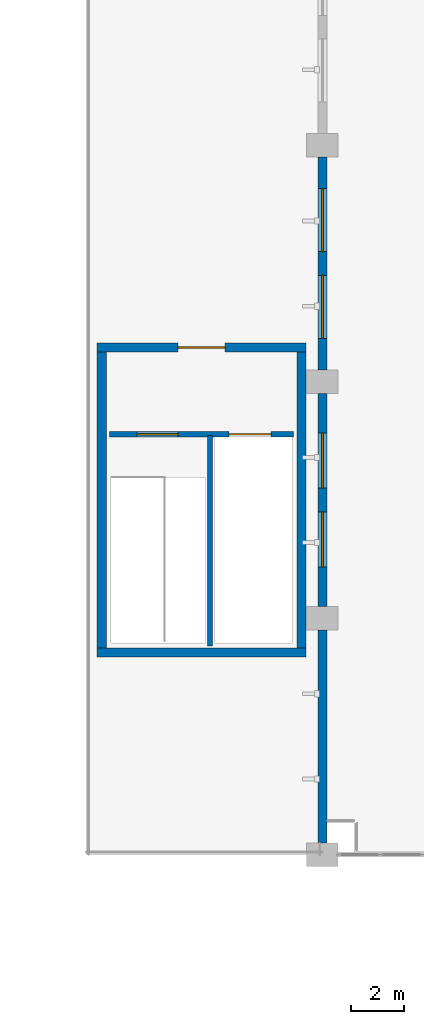
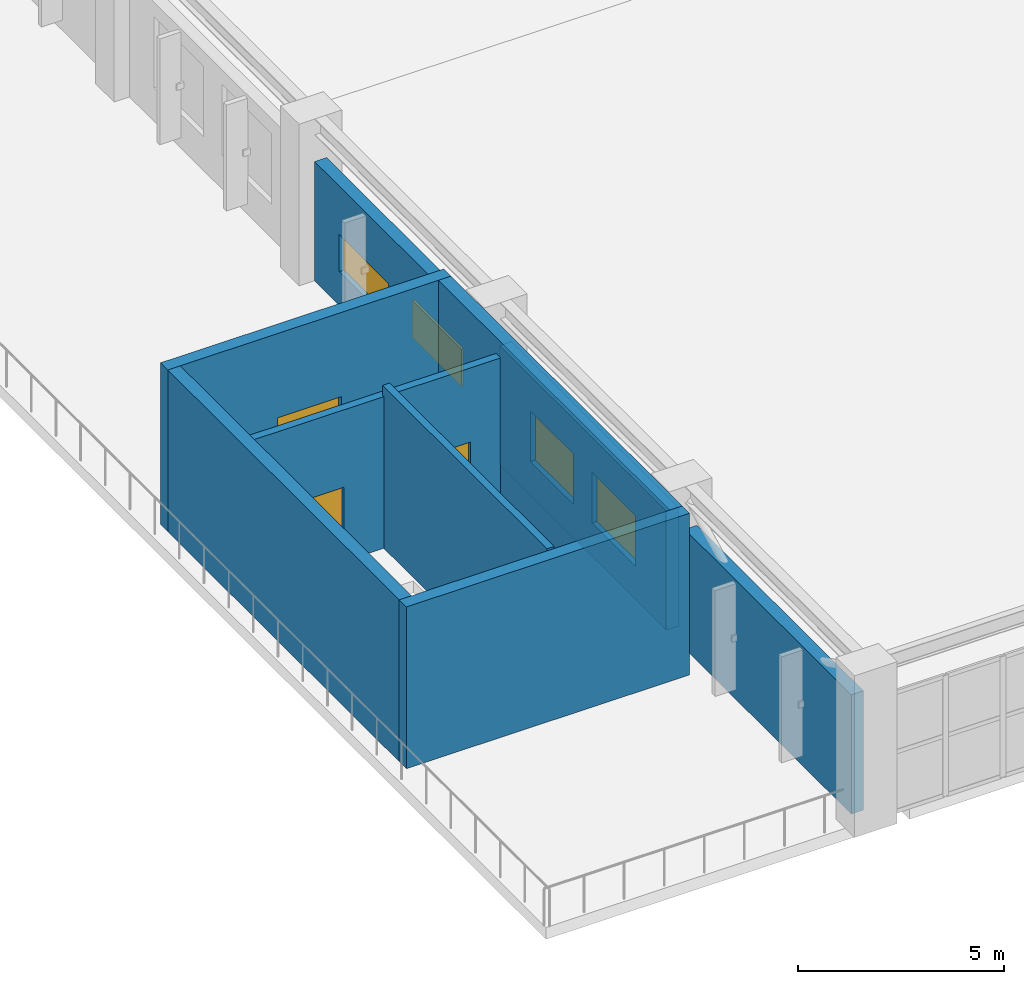
# One storey, part 60 of 89: 9 walls, 4 windows, 3 doors, 7 openings.
"""IFC4 building model written with IfcOpenShell, lengths in metres."""

from ifc_helpers import new_model, si_unit, direction, frame, frame_2d, origin, place, context, subcontext, project, spatial, rectangle, extrude, material, layer, layer_set, type_object, element, fill, save


model = new_model("IFC4")

# Units and contexts
model_context = context("Model", 3, precision=1e-05, world=origin(), true_north=direction((0.0, 1.0)))
body_context = subcontext(model_context, "Body", "Model", "MODEL_VIEW")
ifc_project = project(units=[si_unit("LENGTHUNIT", "METRE"), si_unit("AREAUNIT", "SQUARE_METRE"), si_unit("VOLUMEUNIT", "CUBIC_METRE"), si_unit("PLANEANGLEUNIT", "RADIAN"), si_unit("MASSUNIT", "GRAM", prefix="KILO")], contexts=[model_context])

# Site, building, storey
site_placement = place(None, origin())
site = spatial("IfcSite", under=ifc_project, at=site_placement, CompositionType="ELEMENT")
building_placement = place(site_placement, origin())
building = spatial("IfcBuilding", under=site, at=building_placement, Name="Dornveld Trade and Exhibition Forum", CompositionType="ELEMENT")
storey_placement = place(building_placement, frame((0.0, 0.0, 12.0)))
storey = spatial("IfcBuildingStorey", under=building, at=storey_placement, Name="L02", CompositionType="ELEMENT", Elevation=12.0)

# Wall
ifc_material_1 = material(Name="Concrete C40/50", Category="concrete")
ifc_layer_1 = layer(ifc_material_1, 0.35009765625)
ifc_layer_set_1 = layer_set([ifc_layer_1], Name="Concrete C40/50")
wall_type_1 = type_object("IfcWallType", Name="WL-CORE-350", PredefinedType="SHEAR", material=ifc_layer_set_1)
wall_1_placement = place(storey_placement, frame((18.425048828125, 43.699951171875, 0.0), z_axis=(0.0, 0.0, 1.0), x_axis=(1.0, 0.0, 0.0)))
element("IfcWall", 1, at=wall_1_placement, inside=storey, type_object=wall_type_1, Name="CORE-09 L02 shear wall S", PredefinedType="SHEAR", context=body_context, shape_type="SweptSolid", body=[
    extrude(rectangle(XDim=7.949951171875, YDim=0.35009765625, at=frame_2d((3.97509765625, 0.0))), origin(), (0.0, 0.0, 1.0), 4.800048828125),
])

# Wall, opening, door
wall_2_placement = place(storey_placement, frame((18.425048828125, 55.300048828125, 0.0), z_axis=(0.0, 0.0, 1.0), x_axis=(1.0, 0.0, 0.0)))
wall_2 = element("IfcWall", 2, at=wall_2_placement, inside=storey, type_object=wall_type_1, Name="CORE-09 L02 shear wall N", PredefinedType="SHEAR", context=body_context, shape_type="SweptSolid", body=[
    extrude(rectangle(XDim=7.949951171875, YDim=0.35009765625, at=frame_2d((3.97509765625, 0.0))), origin(), (0.0, 0.0, 1.0), 4.800048828125),
])
opening_1_placement = place(wall_2_placement, frame((3.074951171875, 0.0, 0.0)))
opening_1 = element("IfcOpeningElement", 3, at=opening_1_placement, cuts=wall_2, Name="Opening CD-09-L02", PredefinedType="OPENING", context=body_context, shape_type="SweptSolid", body=[
    extrude(rectangle(XDim=1.800048828125, YDim=2.300048828125, at=frame_2d((0.89990234375, 1.14990234375))), frame((0.0, 0.18505859375, 0.0), z_axis=(0.0, -1.0, 0.0), x_axis=(1.0, 0.0, 0.0)), (0.0, 0.0, 1.0), 0.3701171875),
])
ifc_material_2 = material(Name="Steel fire-rated double door assembly", Category="steel")
door_type_1 = type_object("IfcDoorType", Name="DR-CORE-180x230", OperationType="NOTDEFINED", PredefinedType="DOOR", material=ifc_material_2)
door_1_placement = place(opening_1_placement, origin())
door_1 = element("IfcDoor", 4, at=door_1_placement, inside=storey, type_object=door_type_1, Name="CORE-09 L02 core lobby double fire door", OperationType="DOUBLE_DOOR_SINGLE_SWING", OverallHeight=2.300048828125, OverallWidth=1.800048828125, PredefinedType="DOOR", context=body_context, shape_type="SweptSolid", body=[
    extrude(rectangle(XDim=1.800048828125, YDim=2.300048828125, at=frame_2d((0.89990234375, 1.14990234375))), frame((0.0, 0.02490234375, 0.0), z_axis=(0.0, -1.0, 0.0), x_axis=(1.0, 0.0, 0.0)), (0.0, 0.0, 1.0), 0.050048828125),
])
fill(opening_1, door_1)

# Walls
for number, where, z_axis, x_axis, name in (
    (5, (18.60009765625, 43.875, 0.0), (0.0, 0.0, 1.0), (0.0, 1.0, 0.0), "CORE-09 L02 shear wall W"),
    (6, (26.199951171875, 43.875, 0.0), (0.0, 0.0, 1.0), (0.0, 1.0, 0.0), "CORE-09 L02 shear wall E"),
):
    element("IfcWall", number, at=place(storey_placement, frame(where, z_axis=z_axis, x_axis=x_axis)), inside=storey, type_object=wall_type_1, Name=name, PredefinedType="SHEAR", context=body_context, shape_type="SweptSolid", body=[
        extrude(rectangle(XDim=11.25, YDim=0.35009765625, at=frame_2d((5.625, 0.0))), origin(), (0.0, 0.0, 1.0), 4.800048828125),
    ])
ifc_material_3 = material(Name="Precast concrete C50/60", Category="concrete")
ifc_layer_2 = layer(ifc_material_3, 0.340087890625)
ifc_layer_set_2 = layer_set([ifc_layer_2], Name="Precast concrete C50/60")
wall_type_2 = type_object("IfcWallType", Name="WL-EXT-PC340", PredefinedType="SOLIDWALL", material=ifc_layer_set_2)
wall_3_placement = place(storey_placement, frame((27.0, 44.550537109375, 0.0), z_axis=(0.0, 0.0, 1.0), x_axis=(0.0, -1.0, 0.0)))
element("IfcWall", 7, at=wall_3_placement, inside=storey, type_object=wall_type_2, Name="L02 precast facade wall 38", PredefinedType="SOLIDWALL", context=body_context, shape_type="SweptSolid", body=[
    extrude(rectangle(XDim=8.10107421875, YDim=0.340087890625, at=frame_2d((4.050537109375, 0.0))), origin(), (0.0, 0.0, 1.0), 3.5400390625),
])

# Wall, openings, windows
wall_4_placement = place(storey_placement, frame((27.0, 53.550537109375, 0.0), z_axis=(0.0, 0.0, 1.0), x_axis=(0.0, -1.0, 0.0)))
wall_4 = element("IfcWall", 8, at=wall_4_placement, inside=storey, type_object=wall_type_2, Name="L02 precast facade wall 42", PredefinedType="SOLIDWALL", context=body_context, shape_type="SweptSolid", body=[
    extrude(rectangle(XDim=8.10107421875, YDim=0.340087890625, at=frame_2d((4.050537109375, 0.0))), origin(), (0.0, 0.0, 1.0), 3.5400390625),
])
opening_2_placement = place(wall_4_placement, frame((1.50048828125, 0.0, 1.0)))
opening_2 = element("IfcOpeningElement", 9, at=opening_2_placement, cuts=wall_4, Name="Opening W-24", PredefinedType="OPENING", context=body_context, shape_type="SweptSolid", body=[
    extrude(rectangle(XDim=2.10009765625, YDim=1.5, at=frame_2d((1.050048828125, 0.75))), frame((0.0, 0.179931640625, 0.0), z_axis=(0.0, -1.0, 0.0), x_axis=(1.0, 0.0, 0.0)), (0.0, 0.0, 1.0), 0.360107421875),
])
opening_3_placement = place(wall_4_placement, frame((4.50048828125, 0.0, 1.0)))
opening_3 = element("IfcOpeningElement", 10, at=opening_3_placement, cuts=wall_4, Name="Opening W-24", PredefinedType="OPENING", context=body_context, shape_type="SweptSolid", body=[
    extrude(rectangle(XDim=2.10009765625, YDim=1.5, at=frame_2d((1.050048828125, 0.75))), frame((0.0, 0.179931640625, 0.0), z_axis=(0.0, -1.0, 0.0), x_axis=(1.0, 0.0, 0.0)), (0.0, 0.0, 1.0), 0.360107421875),
])
ifc_material_4 = material(Name="Dark-bronze anodised aluminium and low-E glass", Category="aluminium")
window_type_1 = type_object("IfcWindowType", Name="WIN-AL-24", PartitioningType="DOUBLE_PANEL_VERTICAL", PredefinedType="WINDOW", material=ifc_material_4)
window_1_placement = place(opening_2_placement, origin())
window_1 = element("IfcWindow", 11, at=window_1_placement, inside=storey, type_object=window_type_1, Name="L02 facade window 24", OverallHeight=1.5, OverallWidth=2.10009765625, PartitioningType="SINGLE_PANEL", PredefinedType="WINDOW", context=body_context, shape_type="SweptSolid", body=[
    extrude(rectangle(XDim=2.10009765625, YDim=1.5, at=frame_2d((1.050048828125, 0.75))), frame((0.0, 0.030029296875, 0.0), z_axis=(0.0, -1.0, 0.0), x_axis=(1.0, 0.0, 0.0)), (0.0, 0.0, 1.0), 0.06005859375),
])
fill(opening_2, window_1)
window_2_placement = place(opening_3_placement, origin())
window_2 = element("IfcWindow", 12, at=window_2_placement, inside=storey, type_object=window_type_1, Name="L02 facade window 25", OverallHeight=1.5, OverallWidth=2.10009765625, PartitioningType="SINGLE_PANEL", PredefinedType="WINDOW", context=body_context, shape_type="SweptSolid", body=[
    extrude(rectangle(XDim=2.10009765625, YDim=1.5, at=frame_2d((1.050048828125, 0.75))), frame((0.0, 0.030029296875, 0.0), z_axis=(0.0, -1.0, 0.0), x_axis=(1.0, 0.0, 0.0)), (0.0, 0.0, 1.0), 0.06005859375),
])
fill(opening_3, window_2)

wall_5_placement = place(storey_placement, frame((27.0, 62.550537109375, 0.0), z_axis=(0.0, 0.0, 1.0), x_axis=(0.0, -1.0, 0.0)))
wall_5 = element("IfcWall", 13, at=wall_5_placement, inside=storey, type_object=wall_type_2, Name="L02 precast facade wall 46", PredefinedType="SOLIDWALL", context=body_context, shape_type="SweptSolid", body=[
    extrude(rectangle(XDim=8.10107421875, YDim=0.340087890625, at=frame_2d((4.050537109375, 0.0))), origin(), (0.0, 0.0, 1.0), 3.5400390625),
])
opening_4_placement = place(wall_5_placement, frame((1.200439453125, 0.0, 1.0)))
opening_4 = element("IfcOpeningElement", 14, at=opening_4_placement, cuts=wall_5, Name="Opening W-29", PredefinedType="OPENING", context=body_context, shape_type="SweptSolid", body=[
    extrude(rectangle(XDim=2.39990234375, YDim=1.10009765625, at=frame_2d((1.199951171875, 0.550048828125))), frame((0.0, 0.179931640625, 0.0), z_axis=(0.0, -1.0, 0.0), x_axis=(1.0, 0.0, 0.0)), (0.0, 0.0, 1.0), 0.360107421875),
])
opening_5_placement = place(wall_5_placement, frame((4.50048828125, 0.0, 1.0)))
opening_5 = element("IfcOpeningElement", 15, at=opening_5_placement, cuts=wall_5, Name="Opening W-29", PredefinedType="OPENING", context=body_context, shape_type="SweptSolid", body=[
    extrude(rectangle(XDim=2.39990234375, YDim=1.10009765625, at=frame_2d((1.199951171875, 0.550048828125))), frame((0.0, 0.179931640625, 0.0), z_axis=(0.0, -1.0, 0.0), x_axis=(1.0, 0.0, 0.0)), (0.0, 0.0, 1.0), 0.360107421875),
])
ifc_material_5 = material(Name="Dark-bronze anodised aluminium and low-E glass", Category="aluminium")
window_type_2 = type_object("IfcWindowType", Name="WIN-AL-29", PartitioningType="DOUBLE_PANEL_VERTICAL", PredefinedType="WINDOW", material=ifc_material_5)
window_3_placement = place(opening_4_placement, origin())
window_3 = element("IfcWindow", 16, at=window_3_placement, inside=storey, type_object=window_type_2, Name="L02 facade window 29", OverallHeight=1.10009765625, OverallWidth=2.39990234375, PartitioningType="SINGLE_PANEL", PredefinedType="WINDOW", context=body_context, shape_type="SweptSolid", body=[
    extrude(rectangle(XDim=2.39990234375, YDim=1.10009765625, at=frame_2d((1.199951171875, 0.550048828125))), frame((0.0, 0.030029296875, 0.0), z_axis=(0.0, -1.0, 0.0), x_axis=(1.0, 0.0, 0.0)), (0.0, 0.0, 1.0), 0.06005859375),
])
fill(opening_4, window_3)
window_4_placement = place(opening_5_placement, origin())
window_4 = element("IfcWindow", 17, at=window_4_placement, inside=storey, type_object=window_type_2, Name="L02 facade window 30", OverallHeight=1.10009765625, OverallWidth=2.39990234375, PartitioningType="SINGLE_PANEL", PredefinedType="WINDOW", context=body_context, shape_type="SweptSolid", body=[
    extrude(rectangle(XDim=2.39990234375, YDim=1.10009765625, at=frame_2d((1.199951171875, 0.550048828125))), frame((0.0, 0.030029296875, 0.0), z_axis=(0.0, -1.0, 0.0), x_axis=(1.0, 0.0, 0.0)), (0.0, 0.0, 1.0), 0.06005859375),
])
fill(opening_5, window_4)

# Wall, openings, doors
ifc_material_6 = material(Name="Concrete C40/50", Category="concrete")
ifc_layer_3 = layer(ifc_material_6, 0.219970703125)
ifc_layer_set_3 = layer_set([ifc_layer_3], Name="Concrete C40/50")
wall_type_3 = type_object("IfcWallType", Name="WL-INT-LOB220", PredefinedType="SOLIDWALL", material=ifc_layer_set_3)
wall_6_placement = place(storey_placement, frame((18.89990234375, 52.0, 0.0), z_axis=(0.0, 0.0, 1.0), x_axis=(1.0, 0.0, 0.0)))
wall_6 = element("IfcWall", 18, at=wall_6_placement, inside=storey, type_object=wall_type_3, Name="CORE-09 L02 protected lobby bulkhead wall", PredefinedType="SOLIDWALL", context=body_context, shape_type="SweptSolid", body=[
    extrude(rectangle(XDim=7.0, YDim=0.219970703125, at=frame_2d((3.5, 0.0))), origin(), (0.0, 0.0, 1.0), 4.5),
])
opening_6_placement = place(wall_6_placement, frame((1.050048828125, 0.0, 0.0)))
opening_6 = element("IfcOpeningElement", 19, at=opening_6_placement, cuts=wall_6, Name="Opening SD-09-L02", PredefinedType="OPENING", context=body_context, shape_type="SweptSolid", body=[
    extrude(rectangle(XDim=1.550048828125, YDim=2.199951171875, at=frame_2d((0.77490234375, 1.10009765625))), frame((0.0, 0.119873046875, 0.0), z_axis=(0.0, -1.0, 0.0), x_axis=(1.0, 0.0, 0.0)), (0.0, 0.0, 1.0), 0.239990234375),
])
opening_7_placement = place(wall_6_placement, frame((4.550048828125, 0.0, 0.0)))
opening_7 = element("IfcOpeningElement", 20, at=opening_7_placement, cuts=wall_6, Name="Opening LD-09-L02", PredefinedType="OPENING", context=body_context, shape_type="SweptSolid", body=[
    extrude(rectangle(XDim=1.60009765625, YDim=2.300048828125, at=frame_2d((0.800048828125, 1.14990234375))), frame((0.0, 0.119873046875, 0.0), z_axis=(0.0, -1.0, 0.0), x_axis=(1.0, 0.0, 0.0)), (0.0, 0.0, 1.0), 0.239990234375),
])
ifc_material_7 = material(Name="Heavy-duty steel sliding freight lift landing door", Category="steel")
door_type_2 = type_object("IfcDoorType", Name="DR-LIFT-160x230", OperationType="NOTDEFINED", PredefinedType="DOOR", material=ifc_material_7)
door_2_placement = place(opening_7_placement, origin())
door_2 = element("IfcDoor", 21, at=door_2_placement, inside=storey, type_object=door_type_2, Name="CORE-09 L02 lift sliding landing door", OperationType="SLIDING_TO_LEFT", OverallHeight=2.300048828125, OverallWidth=1.60009765625, PredefinedType="DOOR", context=body_context, shape_type="SweptSolid", body=[
    extrude(rectangle(XDim=1.60009765625, YDim=2.300048828125, at=frame_2d((0.800048828125, 1.14990234375))), frame((0.0, 0.02490234375, 0.0), z_axis=(0.0, -1.0, 0.0), x_axis=(1.0, 0.0, 0.0)), (0.0, 0.0, 1.0), 0.050048828125),
])
fill(opening_7, door_2)
ifc_material_8 = material(Name="Steel fire-rated stair door assembly", Category="steel")
door_type_3 = type_object("IfcDoorType", Name="DR-STAIR-155x220", OperationType="NOTDEFINED", PredefinedType="DOOR", material=ifc_material_8)
door_3_placement = place(opening_6_placement, origin())
door_3 = element("IfcDoor", 22, at=door_3_placement, inside=storey, type_object=door_type_3, Name="CORE-09 L02 protected stair door", OperationType="SINGLE_SWING_LEFT", OverallHeight=2.199951171875, OverallWidth=1.550048828125, PredefinedType="DOOR", context=body_context, shape_type="SweptSolid", body=[
    extrude(rectangle(XDim=1.550048828125, YDim=2.199951171875, at=frame_2d((0.77490234375, 1.10009765625))), frame((0.0, 0.02490234375, 0.0), z_axis=(0.0, -1.0, 0.0), x_axis=(1.0, 0.0, 0.0)), (0.0, 0.0, 1.0), 0.050048828125),
])
fill(opening_6, door_3)

# Wall
ifc_material_9 = material(Name="Concrete C40/50", Category="concrete")
ifc_layer_4 = layer(ifc_material_9, 0.199951171875)
ifc_layer_set_4 = layer_set([ifc_layer_4], Name="Concrete C40/50")
wall_type_4 = type_object("IfcWallType", Name="WL-INT-SHAFT200", PredefinedType="SOLIDWALL", material=ifc_layer_set_4)
wall_7_placement = place(storey_placement, frame((22.719970703125, 43.949951171875, 0.0), z_axis=(0.0, 0.0, 1.0), x_axis=(0.0, 1.0, 0.0)))
element("IfcWall", 23, at=wall_7_placement, inside=storey, type_object=wall_type_4, Name="CORE-09 L02 lift-stair structural shaft wall", PredefinedType="SOLIDWALL", context=body_context, shape_type="SweptSolid", body=[
    extrude(rectangle(XDim=8.0, YDim=0.199951171875, at=frame_2d((4.0, 0.0))), origin(), (0.0, 0.0, 1.0), 4.800048828125),
])

save(model, "model.ifc")
